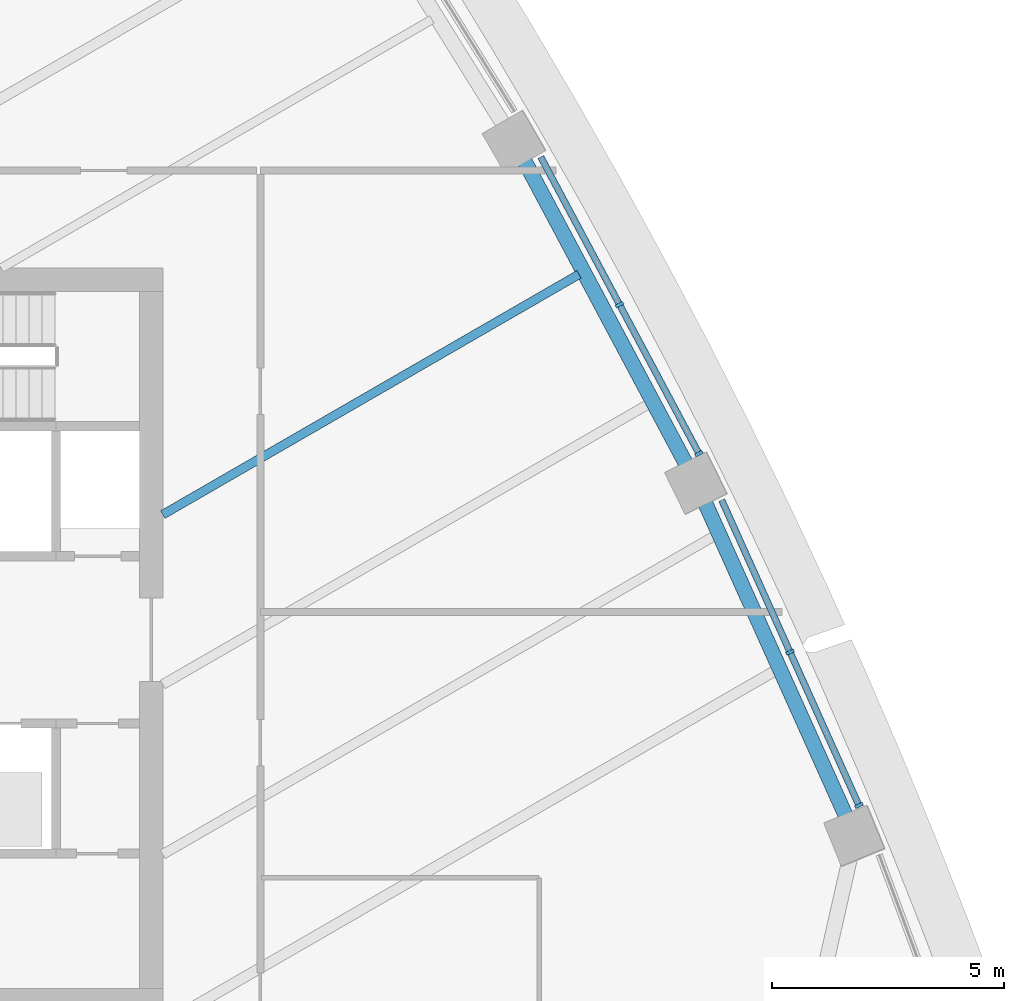
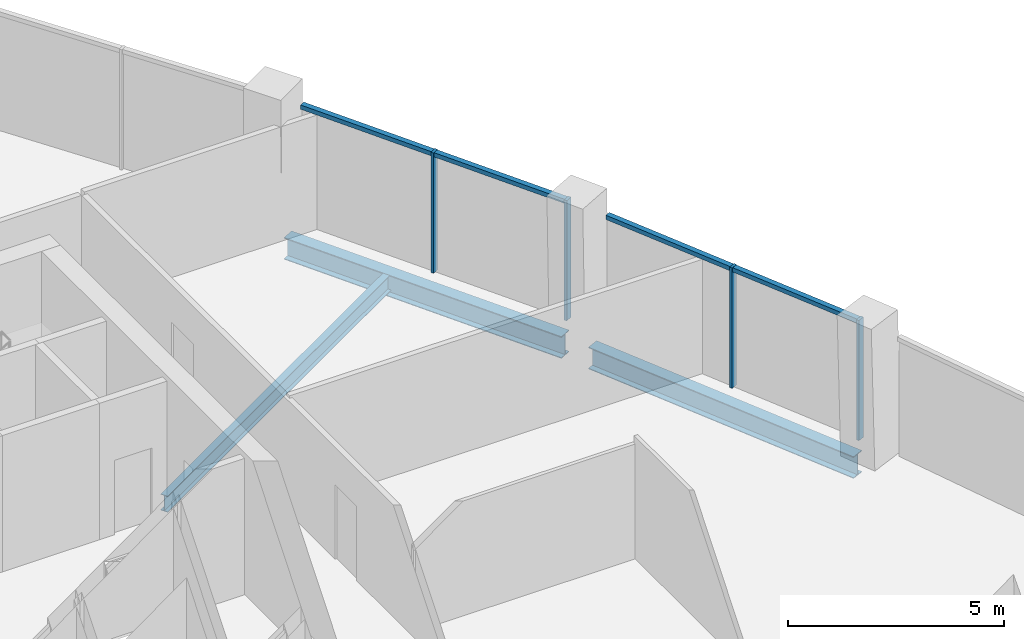
# One storey, part 5 of 19: 8 members, 3 beams, 2 elements without a shape of their own.
"""IFC4 building model written with IfcOpenShell, lengths in metres."""

from ifc_helpers import new_model, si_unit, direction, frame, origin, origin_2d, place, context, subcontext, project, spatial, rectangle, i_section, extrude, material, layer, layer_set, material_profile, profile_set, type_object, element, aggregate, save


model = new_model("IFC4")

# Units and contexts
model_context = context("Model", 3, precision=1e-05, world=origin(), true_north=direction((0.0, 1.0)))
body_context = subcontext(model_context, "Body", "Model", "MODEL_VIEW")
ifc_project = project(units=[si_unit("LENGTHUNIT", "METRE"), si_unit("AREAUNIT", "SQUARE_METRE"), si_unit("VOLUMEUNIT", "CUBIC_METRE"), si_unit("PLANEANGLEUNIT", "RADIAN"), si_unit("MASSUNIT", "GRAM", prefix="KILO")], contexts=[model_context])

# Site, building, storey
site_placement = place(None, origin())
site = spatial("IfcSite", under=ifc_project, at=site_placement, CompositionType="ELEMENT")
building_placement = place(site_placement, origin())
building = spatial("IfcBuilding", under=site, at=building_placement, Name="Sierra Prisma Convention Tower", CompositionType="ELEMENT")
storey_placement = place(building_placement, frame((0.0, 0.0, 173.800048828125)))
storey = spatial("IfcBuildingStorey", under=building, at=storey_placement, Name="L38", CompositionType="ELEMENT", Elevation=173.800048828125)

# Curtain wall, members
ifc_material_1 = material(Name="Aluminium and glass curtain wall", Category="aluminium")
ifc_layer = layer(ifc_material_1, 0.179931640625)
ifc_layer_set = layer_set([ifc_layer], Name="CW-1 Plain shaft curtain wall")
curtain_wall_type = type_object("IfcCurtainWallType", Name="CW-1 Plain shaft curtain wall", PredefinedType="NOTDEFINED", material=ifc_layer_set)
curtain_wall_1_placement = place(storey_placement, origin())
curtain_wall_1 = element("IfcCurtainWall", 1, at=curtain_wall_1_placement, inside=storey, type_object=curtain_wall_type, Name="CW-1 NE2 L38", PredefinedType="NOTDEFINED")
ifc_material_2 = material(Name="Aluminium 6063-T6 bronze anodised", Category="aluminium")
ifc_material_profile_1 = material_profile(ifc_material_2, rectangle(XDim=0.179931640625, YDim=0.070068359375, at=origin_2d()), Name="ALU MULLION 70x180")
ifc_profile_set_1 = profile_set([ifc_material_profile_1], Name="Aluminium 6063-T6 bronze anodised")
member_type_1 = type_object("IfcMemberType", Name="CW mullion bronze", PredefinedType="MULLION", material=ifc_profile_set_1)
member_1_placement = place(storey_placement, frame((25.98291015625, -3.563720703125, 0.0), z_axis=(0.0, 0.0, 1.0), x_axis=(-0.912124343507, -0.409913627465, 0.0)))
member_1 = element("IfcMember", 2, at=member_1_placement, type_object=member_type_1, Name="CW-1 mullion NE2.1", PredefinedType="MULLION", context=body_context, shape_type="SweptSolid", body=[
    extrude(rectangle(XDim=0.179931640625, YDim=0.070068359375, at=origin_2d()), origin(), (0.0, 0.0, 1.0), 3.39990234375),
])
member_2_placement = place(storey_placement, frame((24.499755859375, -0.263427734375, 0.0), z_axis=(0.0, 0.0, 1.0), x_axis=(-0.912124343507, -0.409913627465, 0.0)))
member_2 = element("IfcMember", 3, at=member_2_placement, type_object=member_type_1, Name="CW-1 mullion NE2.2", PredefinedType="MULLION", context=body_context, shape_type="SweptSolid", body=[
    extrude(rectangle(XDim=0.179931640625, YDim=0.070068359375, at=origin_2d()), origin(), (0.0, 0.0, 1.0), 3.39990234375),
])

curtain_wall_2_placement = place(storey_placement, origin())
curtain_wall_2 = element("IfcCurtainWall", 4, at=curtain_wall_2_placement, inside=storey, type_object=curtain_wall_type, Name="CW-1 NE3 L38", PredefinedType="NOTDEFINED")
member_3_placement = place(storey_placement, frame((22.539794921875, 4.0078125, 0.0), z_axis=(0.0, 0.0, 1.0), x_axis=(-0.882402357677, -0.470495567638, 0.0)))
member_3 = element("IfcMember", 5, at=member_3_placement, type_object=member_type_1, Name="CW-1 mullion NE3.1", PredefinedType="MULLION", context=body_context, shape_type="SweptSolid", body=[
    extrude(rectangle(XDim=0.179931640625, YDim=0.070068359375, at=origin_2d()), origin(), (0.0, 0.0, 1.0), 3.39990234375),
])
member_4_placement = place(storey_placement, frame((20.829833984375, 7.214599609375, 0.0), z_axis=(0.0, 0.0, 1.0), x_axis=(-0.882402357677, -0.470495567638, 0.0)))
member_4 = element("IfcMember", 6, at=member_4_placement, type_object=member_type_1, Name="CW-1 mullion NE3.2", PredefinedType="MULLION", context=body_context, shape_type="SweptSolid", body=[
    extrude(rectangle(XDim=0.179931640625, YDim=0.070068359375, at=origin_2d()), origin(), (0.0, 0.0, 1.0), 3.39990234375),
])

# Member
ifc_material_3 = material(Name="Aluminium 6063-T6 bronze anodised", Category="aluminium")
ifc_material_profile_2 = material_profile(ifc_material_3, rectangle(XDim=0.139892578125, YDim=0.1201171875, at=origin_2d()), Name="ALU TRANSOM 120x140")
ifc_profile_set_2 = profile_set([ifc_material_profile_2], Name="Aluminium 6063-T6 bronze anodised")
member_type_2 = type_object("IfcMemberType", Name="CW transom bronze", PredefinedType="USERDEFINED", material=ifc_profile_set_2)
member_5_placement = place(storey_placement, frame((25.968505859375, -3.53173828125, 3.33984375), z_axis=(-0.409895405489, 0.912132532343, 0.0), x_axis=(-0.912132532343, -0.409895405489, 0.0)))
member_5 = element("IfcMember", 7, at=member_5_placement, type_object=member_type_2, Name="CW-1 transom NE2.1", ObjectType="TRANSOM", PredefinedType="USERDEFINED", context=body_context, shape_type="SweptSolid", body=[
    extrude(rectangle(XDim=0.139892578125, YDim=0.1201171875, at=origin_2d()), origin(), (0.0, 0.0, 1.0), 3.548095703125),
])

member_6_placement = place(storey_placement, frame((24.4853515625, -0.2314453125, 3.33984375), z_axis=(-0.409952651202, 0.912106805025, 0.0), x_axis=(-0.912106805025, -0.409952651202, 0.0)))
member_6 = element("IfcMember", 8, at=member_6_placement, type_object=member_type_2, Name="CW-1 transom NE2.2", ObjectType="TRANSOM", PredefinedType="USERDEFINED", context=body_context, shape_type="SweptSolid", body=[
    extrude(rectangle(XDim=0.139892578125, YDim=0.1201171875, at=origin_2d()), origin(), (0.0, 0.0, 1.0), 3.548095703125),
])

aggregate(curtain_wall_1, [member_1, member_2, member_5, member_6])

member_7_placement = place(storey_placement, frame((22.523193359375, 4.038818359375, 3.33984375), z_axis=(-0.470513573031, 0.882392756993, 0.0), x_axis=(-0.882392756993, -0.470513573031, 0.0)))
member_7 = element("IfcMember", 9, at=member_7_placement, type_object=member_type_2, Name="CW-1 transom NE3.1", ObjectType="TRANSOM", PredefinedType="USERDEFINED", context=body_context, shape_type="SweptSolid", body=[
    extrude(rectangle(XDim=0.139892578125, YDim=0.1201171875, at=origin_2d()), origin(), (0.0, 0.0, 1.0), 3.564208984375),
])

member_8_placement = place(storey_placement, frame((20.813232421875, 7.24560546875, 3.33984375), z_axis=(-0.470460236655, 0.882421195193, 0.0), x_axis=(-0.882421195193, -0.470460236655, 0.0)))
member_8 = element("IfcMember", 10, at=member_8_placement, type_object=member_type_2, Name="CW-1 transom NE3.2", ObjectType="TRANSOM", PredefinedType="USERDEFINED", context=body_context, shape_type="SweptSolid", body=[
    extrude(rectangle(XDim=0.139892578125, YDim=0.1201171875, at=origin_2d()), origin(), (0.0, 0.0, 1.0), 3.56396484375),
])

aggregate(curtain_wall_2, [member_3, member_4, member_7, member_8])

# Beams
ifc_material_4 = material(Name="Steel ASTM A992 Gr 50", Category="steel")
ifc_material_profile_3 = material_profile(ifc_material_4, i_section(OverallWidth=0.18994140625, OverallDepth=0.45703125, WebThickness=0.009033203125, FlangeThickness=0.014404296875, at=origin_2d()), Name="W460x74")
ifc_profile_set_3 = profile_set([ifc_material_profile_3], Name="Steel ASTM A992 Gr 50")
beam_type_1 = type_object("IfcBeamType", Name="Floor joist W460x74", PredefinedType="JOIST", material=ifc_profile_set_3)
beam_1_placement = place(storey_placement, frame((19.958251953125, 7.86669921875, -0.378662109375), z_axis=(-0.866032694934, -0.499987371146, 0.0), x_axis=(0.499987371146, -0.866032694934, 0.0)))
element("IfcBeam", 11, at=beam_1_placement, inside=storey, type_object=beam_type_1, Name="Floor joist L38 NE07", PredefinedType="JOIST", context=body_context, shape_type="SweptSolid", body=[
    extrude(i_section(OverallWidth=0.18994140625, OverallDepth=0.45703125, WebThickness=0.009033203125, FlangeThickness=0.014404296875, at=origin_2d()), origin(), (0.0, 0.0, 1.0), 10.343994140625),
])
ifc_material_5 = material(Name="Steel ASTM A992 Gr 50", Category="steel")
ifc_material_profile_4 = material_profile(ifc_material_5, i_section(OverallWidth=0.324951171875, OverallDepth=0.615966796875, WebThickness=0.013916015625, FlangeThickness=0.021484375, at=origin_2d()), Name="W610x174")
ifc_profile_set_4 = profile_set([ifc_material_profile_4], Name="Steel ASTM A992 Gr 50")
beam_type_2 = type_object("IfcBeamType", Name="Spandrel beam W610x174", PredefinedType="BEAM", material=ifc_profile_set_4)
beam_2_placement = place(storey_placement, frame((25.740478515625, -3.8779296875, -0.4580078125), z_axis=(-0.409907132861, 0.91212726219, 0.0), x_axis=(-0.91212726219, -0.409907132861, 0.0)))
element("IfcBeam", 12, at=beam_2_placement, inside=storey, type_object=beam_type_2, Name="Spandrel L38-08", PredefinedType="BEAM", context=body_context, shape_type="SweptSolid", body=[
    extrude(i_section(OverallWidth=0.324951171875, OverallDepth=0.615966796875, WebThickness=0.013916015625, FlangeThickness=0.021484375, at=origin_2d()), origin(), (0.0, 0.0, 1.0), 7.56640625),
])
beam_3_placement = place(storey_placement, frame((22.30419921875, 3.7060546875, -0.4580078125), z_axis=(-0.470484404334, 0.882408309842, 0.0), x_axis=(-0.882408309842, -0.470484404334, 0.0)))
element("IfcBeam", 13, at=beam_3_placement, inside=storey, type_object=beam_type_2, Name="Spandrel L38-09", PredefinedType="BEAM", context=body_context, shape_type="SweptSolid", body=[
    extrude(i_section(OverallWidth=0.324951171875, OverallDepth=0.615966796875, WebThickness=0.013916015625, FlangeThickness=0.021484375, at=origin_2d()), origin(), (0.0, 0.0, 1.0), 7.56689453125),
])

save(model, "model.ifc")
